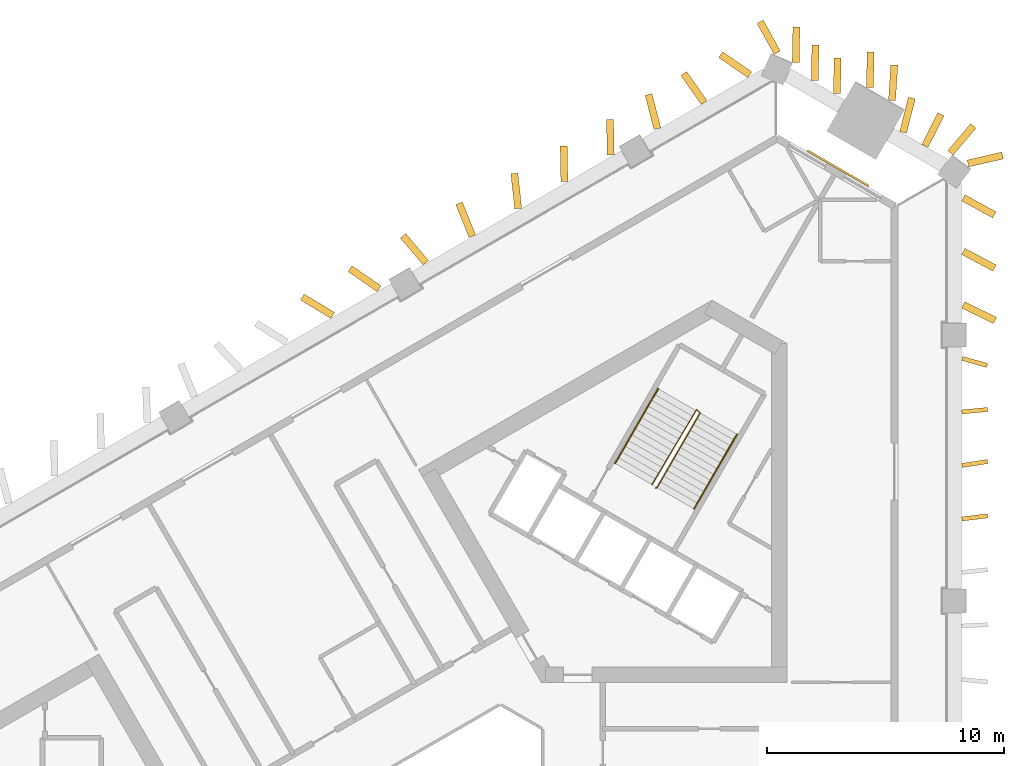
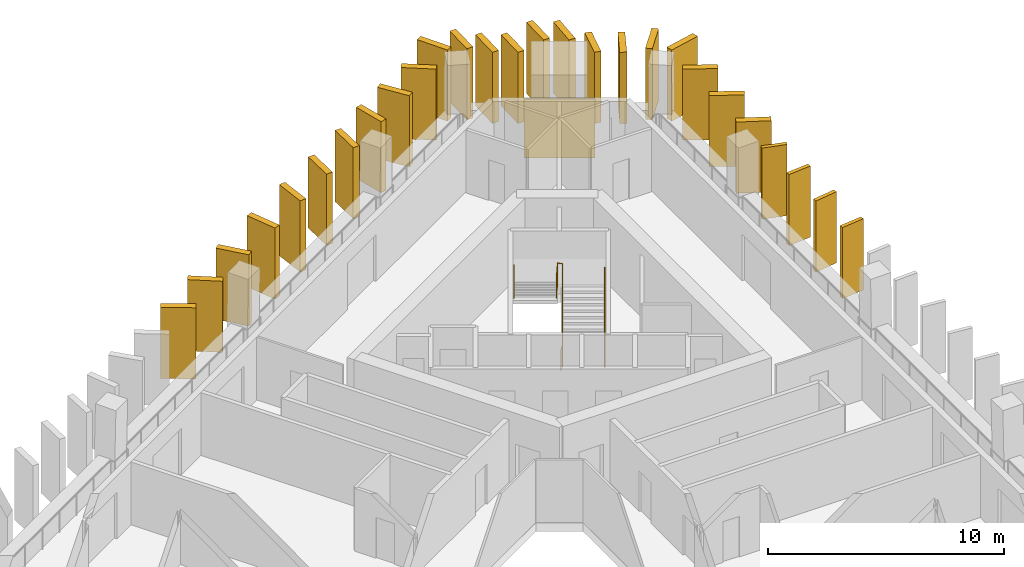
# One storey, part 11 of 11: 27 shading devices, 3 railings, 1 covering.
"""IFC4 building model written with IfcOpenShell, lengths in metres."""

import ifcopenshell
import ifcopenshell.guid

model = None  # the IFC model being written
_history = None  # IfcOwnerHistory: only IFC2X3 demands one
_inside = {}  # id of a spatial element -> (the spatial element, [elements in it])
_under = {}  # id of a project, library or spatial element -> (it, [spatial elements below it])
_declared = {}  # id of a project -> (the project, [libraries it declares])
_typed = {}  # id of a type object -> (the type object, [elements of that type])
_made_of = {}  # id of a material, layer set ... -> (it, [elements and type objects made of it])


def new_model(schema):
    """Start an empty IFC model of exactly this schema.

    Asked for "IFC4X3", IfcOpenShell would pick the latest addendum, in which some entities
    have other attributes; the version numbers below select the first issue.
    IFC2X3 requires an IfcOwnerHistory on every rooted entity: one is made here for all.
    """
    global model, _history
    if schema == "IFC4X3":
        model = ifcopenshell.file(schema_version=(4, 3, 0, 0))
    else:
        model = ifcopenshell.file(schema=schema)
    _inside.clear()
    _under.clear()
    _declared.clear()
    _typed.clear()
    _made_of.clear()
    _history = None
    if model.schema == "IFC2X3":
        org = make("IfcOrganization", Name="unknown")
        user = make(
            "IfcPersonAndOrganization",
            ThePerson=make("IfcPerson", FamilyName="unknown"),
            TheOrganization=org,
        )
        app = make(
            "IfcApplication",
            ApplicationDeveloper=org,
            Version="unknown",
            ApplicationFullName="unknown",
            ApplicationIdentifier="unknown",
        )
        _history = make(
            "IfcOwnerHistory",
            OwningUser=user,
            OwningApplication=app,
            ChangeAction="ADDED",
            CreationDate=0,
        )
    return model


def make(cls, **values):
    """One entity of the class cls with the attributes given. An attribute that is None is left unset."""
    return model.create_entity(
        cls, **{name: value for name, value in values.items() if value is not None}
    )


def rooted(cls, **values):
    """An entity with a GlobalId (a new one), such as an element, a storey or a relation."""
    return make(cls, GlobalId=ifcopenshell.guid.new(), OwnerHistory=_history, **values)


def si_unit(unit_type, name, prefix=None):
    """IfcSIUnit, for example si_unit("LENGTHUNIT", "METRE", prefix="MILLI")."""
    return make("IfcSIUnit", UnitType=unit_type, Prefix=prefix, Name=name)


def assignment(units):
    """IfcUnitAssignment: the units of a project."""
    return None if units is None else make("IfcUnitAssignment", Units=units)


def point(xyz):
    """IfcCartesianPoint."""
    return None if xyz is None else make("IfcCartesianPoint", Coordinates=xyz)


def direction(xyz):
    """IfcDirection."""
    return None if xyz is None else make("IfcDirection", DirectionRatios=xyz)


def frame(location, z_axis=None, x_axis=None):
    """IfcAxis2Placement3D, a coordinate frame: its origin and axes. An axis left out is left unset."""
    return make(
        "IfcAxis2Placement3D",
        Location=point(location),
        Axis=direction(z_axis),
        RefDirection=direction(x_axis),
    )


def frame_2d(location, x_axis=None):
    """IfcAxis2Placement2D, a coordinate frame in the plane: its origin and x axis."""
    return make(
        "IfcAxis2Placement2D", Location=point(location), RefDirection=direction(x_axis)
    )


def origin():
    """The frame at (0, 0, 0) with its axes left unset."""
    return frame((0.0, 0.0, 0.0))


def origin_2d():
    """The frame at (0, 0) in the plane with its x axis left unset."""
    return frame_2d((0.0, 0.0))


def place(relative_to, where):
    """IfcLocalPlacement: puts the frame where relative to a parent placement (None: the world)."""
    return make(
        "IfcLocalPlacement", PlacementRelTo=relative_to, RelativePlacement=where
    )


def context(
    kind, dimensions, precision=None, world=None, true_north=None, identifier=None
):
    """IfcGeometricRepresentationContext, for example the 3D "Model" context."""
    return make(
        "IfcGeometricRepresentationContext",
        ContextIdentifier=identifier,
        ContextType=kind,
        CoordinateSpaceDimension=dimensions,
        Precision=precision,
        WorldCoordinateSystem=world,
        TrueNorth=true_north,
    )


def subcontext(parent, identifier, kind, view, scale=None):
    """IfcGeometricRepresentationSubContext, for example "Body" below "Model"."""
    return make(
        "IfcGeometricRepresentationSubContext",
        ContextIdentifier=identifier,
        ContextType=kind,
        ParentContext=parent,
        TargetScale=scale,
        TargetView=view,
    )


def project(units=None, contexts=None):
    """IfcProject with its units and contexts."""
    return rooted(
        "IfcProject",
        Name="project",
        RepresentationContexts=contexts,
        UnitsInContext=assignment(units),
    )


def spatial(cls, under=None, at=None, **own):
    """A site, building, storey or space (cls), placed at a placement, below another one or the project."""
    s = rooted(cls, ObjectPlacement=at, **own)
    if under is not None:
        _under.setdefault(under.id(), (under, []))[1].append(s)
    return s


def profile(cls, at=None, kind="AREA", **sizes):
    """A parametric profile (cls). Its sizes go by their IFC names, for example OverallWidth=200.0."""
    return make(cls, ProfileType=kind, Position=at, **sizes)


def rectangle(**sizes):
    """IfcRectangleProfileDef."""
    return profile("IfcRectangleProfileDef", **sizes)


def circle(**sizes):
    """IfcCircleProfileDef."""
    return profile("IfcCircleProfileDef", **sizes)


def extrude(swept, where, along, depth):
    """IfcExtrudedAreaSolid: the profile swept, set in the frame where, extruded along a direction by depth."""
    return make(
        "IfcExtrudedAreaSolid",
        SweptArea=swept,
        Position=where,
        ExtrudedDirection=direction(along),
        Depth=depth,
    )


def shape(context_of_items, identifier, shape_type, items):
    """IfcShapeRepresentation: the items that make up one representation, for example the "Body"."""
    return make(
        "IfcShapeRepresentation",
        ContextOfItems=context_of_items,
        RepresentationIdentifier=identifier,
        RepresentationType=shape_type,
        Items=items,
    )


def material(Name=None, Category=None):
    """IfcMaterial."""
    return make("IfcMaterial", Name=Name, Category=Category)


def layer(
    of_material, thickness, ventilated=None, Name=None, Category=None, Priority=None
):
    """IfcMaterialLayer: one layer of a wall or slab, of a material (None: an air gap)."""
    return make(
        "IfcMaterialLayer",
        Material=of_material,
        LayerThickness=thickness,
        IsVentilated=ventilated,
        Name=Name,
        Category=Category,
        Priority=Priority,
    )


def layer_set(layers, Name=None):
    """IfcMaterialLayerSet."""
    return make("IfcMaterialLayerSet", MaterialLayers=layers, LayerSetName=Name)


def made_of(thing, what):
    """Note that an element or type object is made of a material, layer set ...; save() writes the relation."""
    if what is not None:
        _made_of.setdefault(what.id(), (what, []))[1].append(thing)
    return thing


def type_object(cls, material=None, **own):
    """A type object (cls), such as IfcWallType, which elements share."""
    return made_of(rooted(cls, **own), material)


def element(
    cls,
    number,
    at=None,
    inside=None,
    cuts=None,
    type_object=None,
    material=None,
    context=None,
    identifier="Body",
    shape_type=None,
    held_by="IfcProductDefinitionShape",
    body=None,
    shapes=None,
    **own,
):
    """One element of the class cls, such as IfcWall. Its Tag is "e" and its number.

    at: its placement. inside: the storey or other place that contains it. cuts: it is an
    opening in that element (IfcRelVoidsElement). A single representation is given by context,
    identifier, shape_type and body (its items); several are given by shapes. held_by: the class
    of the entity that holds the representations. save() writes the other relations.
    """
    e = rooted(cls, Tag="e%d" % number, ObjectPlacement=at, **own)
    if body is not None:
        shapes = [shape(context, identifier, shape_type, body)]
    if shapes is not None:
        e.Representation = make(held_by, Representations=shapes)
    if inside is not None:
        _inside.setdefault(inside.id(), (inside, []))[1].append(e)
    if cuts is not None:
        rooted(
            "IfcRelVoidsElement", RelatingBuildingElement=cuts, RelatedOpeningElement=e
        )
    if type_object is not None:
        _typed.setdefault(type_object.id(), (type_object, []))[1].append(e)
    return made_of(e, material)


def aggregate(whole, parts):
    """IfcRelAggregates: a whole, such as a stair, and the parts it consists of."""
    return rooted("IfcRelAggregates", RelatingObject=whole, RelatedObjects=parts)


def save(model, path):
    """Write the relations noted so far, then the file.

    IfcRelAggregates (storeys below a building ...), IfcRelContainedInSpatialStructure (elements
    in a storey), IfcRelDefinesByType, IfcRelAssociatesMaterial and IfcRelDeclares: one each for
    every whole, place, type object, material and project.
    """
    for whole, parts in _under.values():
        aggregate(whole, parts)
    for where, things in _inside.values():
        rooted(
            "IfcRelContainedInSpatialStructure",
            RelatedElements=things,
            RelatingStructure=where,
        )
    for kind, things in _typed.values():
        rooted("IfcRelDefinesByType", RelatedObjects=things, RelatingType=kind)
    for what, things in _made_of.values():
        rooted("IfcRelAssociatesMaterial", RelatedObjects=things, RelatingMaterial=what)
    for by, libraries in _declared.values():
        rooted("IfcRelDeclares", RelatingContext=by, RelatedDefinitions=libraries)
    model.write(path)


model = new_model("IFC4")

# Units and contexts
model_context = context("Model", 3, precision=1e-05, world=origin(), true_north=direction((0.0, 1.0)))
body_context = subcontext(model_context, "Body", "Model", "MODEL_VIEW")
ifc_project = project(units=[si_unit("LENGTHUNIT", "METRE"), si_unit("AREAUNIT", "SQUARE_METRE"), si_unit("VOLUMEUNIT", "CUBIC_METRE"), si_unit("PLANEANGLEUNIT", "RADIAN"), si_unit("MASSUNIT", "GRAM", prefix="KILO")], contexts=[model_context])

# Site, building, storey
site_placement = place(None, origin())
site = spatial("IfcSite", under=ifc_project, at=site_placement, CompositionType="ELEMENT")
building_placement = place(site_placement, origin())
building = spatial("IfcBuilding", under=site, at=building_placement, Name="Jabali Bay Hotel Tower and Convention Centre", CompositionType="ELEMENT")
storey_placement = place(building_placement, frame((0.0, 0.0, 132.699951171875)))
storey = spatial("IfcBuildingStorey", under=building, at=storey_placement, Name="L32", CompositionType="ELEMENT", Elevation=132.699951171875)

# Shading devices
ifc_material_1 = material(Name="Precast concrete C60", Category="concrete")
ifc_layer_1 = layer(ifc_material_1, 0.179931640625)
ifc_layer_set_1 = layer_set([ifc_layer_1], Name="Precast concrete C60")
shading_device_type_1 = type_object("IfcShadingDeviceType", Name="Precast fin 3680 x 1100", PredefinedType="USERDEFINED", material=ifc_layer_set_1)
for number, where, z_axis, x_axis, name in (
    (1, (97.279541015625, 94.7021484375, 0.010009765625), (0.0, 0.0, 1.0), (0.993004393239, 0.118077411087, 0.0), "Fin L32 019"),
    (2, (97.282470703125, 96.9638671875, 0.010009765625), (0.0, 0.0, 1.0), (0.9886826098, 0.150022321936, 0.0), "Fin L32 020"),
):
    element("IfcShadingDevice", number, at=place(storey_placement, frame(where, z_axis=z_axis, x_axis=x_axis)), inside=storey, type_object=shading_device_type_1, Name=name, ObjectType="FIN", PredefinedType="USERDEFINED", context=body_context, shape_type="SweptSolid", body=[
        extrude(rectangle(XDim=1.10009765625, YDim=0.179931640625, at=frame_2d((0.550048828125, 0.0))), origin(), (0.0, 0.0, 1.0), 3.679931640625),
    ])
for number, where, z_axis, x_axis, name in (
    (3, (97.277587890625, 99.225830078125, 0.010009765625), (0.0, 0.0, 1.0), (0.995540254019, 0.09433770523, 0.0), "Fin L32 021"),
    (4, (97.29345703125, 101.487548828125, 0.010009765625), (0.0, 0.0, 1.0), (0.962753928238, -0.270379129489, 0.0), "Fin L32 022"),
):
    element("IfcShadingDevice", number, at=place(storey_placement, frame(where, z_axis=z_axis, x_axis=x_axis)), inside=storey, type_object=shading_device_type_1, Name=name, ObjectType="FIN", PredefinedType="USERDEFINED", context=body_context, shape_type="SweptSolid", body=[
        extrude(rectangle(XDim=1.099853515625, YDim=0.179931640625, at=frame_2d((0.5498046875, 0.0))), origin(), (0.0, 0.0, 1.0), 3.679931640625),
    ])
ifc_layer_2 = layer(ifc_material_1, 0.300048828125)
ifc_layer_set_2 = layer_set([ifc_layer_2], Name="Precast concrete C60")
shading_device_type_2 = type_object("IfcShadingDeviceType", Name="Precast fin 3680 x 1500", PredefinedType="USERDEFINED", material=ifc_layer_set_2)
for number, where, z_axis, x_axis, name in (
    (5, (97.334716796875, 103.74951171875, 0.010009765625), (0.0, 0.0, 1.0), (0.899129499022, -0.43768269784, 0.0), "Fin L32 023"),
    (6, (97.339599609375, 106.011474609375, 0.010009765625), (0.0, 0.0, 1.0), (0.882470054039, -0.470368582842, 0.0), "Fin L32 024"),
    (7, (97.3408203125, 108.273193359375, 0.010009765625), (0.0, 0.0, 1.0), (0.877733805227, -0.479148585683, 0.0), "Fin L32 025"),
    (8, (96.79638671875, 110.174560546875, 0.010009765625), (0.0, 0.0, 1.0), (0.648106579551, 0.761549644831, 0.0), "Fin L32 026"),
):
    element("IfcShadingDevice", number, at=place(storey_placement, frame(where, z_axis=z_axis, x_axis=x_axis)), inside=storey, type_object=shading_device_type_2, Name=name, ObjectType="FIN", PredefinedType="USERDEFINED", context=body_context, shape_type="SweptSolid", body=[
        extrude(rectangle(XDim=1.5, YDim=0.300048828125, at=frame_2d((0.75, 0.0))), origin(), (0.0, 0.0, 1.0), 3.679931640625),
    ])
shading_device_1_placement = place(storey_placement, frame((95.7177734375, 110.471435546875, 0.010009765625), z_axis=(0.0, 0.0, 1.0), x_axis=(0.452089104957, 0.891972780515, 0.0)))
element("IfcShadingDevice", 9, at=shading_device_1_placement, inside=storey, type_object=shading_device_type_2, Name="Fin L32 027", ObjectType="FIN", PredefinedType="USERDEFINED", context=body_context, shape_type="SweptSolid", body=[
    extrude(rectangle(XDim=1.500244140625, YDim=0.300048828125, at=frame_2d((0.75, 0.0))), origin(), (0.0, 0.0, 1.0), 3.679931640625),
])
shading_device_2_placement = place(storey_placement, frame((94.796630859375, 111.041015625, 0.010009765625), z_axis=(0.0, 0.0, 1.0), x_axis=(0.246248493341, 0.96920672693, 0.0)))
element("IfcShadingDevice", 10, at=shading_device_2_placement, inside=storey, type_object=shading_device_type_2, Name="Fin L32 028", ObjectType="FIN", PredefinedType="USERDEFINED", context=body_context, shape_type="SweptSolid", body=[
    extrude(rectangle(XDim=1.5, YDim=0.300048828125, at=frame_2d((0.75, 0.0))), origin(), (0.0, 0.0, 1.0), 3.679931640625),
])
shading_device_3_placement = place(storey_placement, frame((94.328125, 112.394775390625, 0.010009765625), z_axis=(0.0, 0.0, 1.0), x_axis=(0.064120874575, 0.997942139327, 0.0)))
element("IfcShadingDevice", 11, at=shading_device_3_placement, inside=storey, type_object=shading_device_type_2, Name="Fin L32 029", ObjectType="FIN", PredefinedType="USERDEFINED", context=body_context, shape_type="SweptSolid", body=[
    extrude(rectangle(XDim=1.500244140625, YDim=0.300048828125, at=frame_2d((0.75, 0.0))), origin(), (0.0, 0.0, 1.0), 3.679931640625),
])
for number, where, z_axis, x_axis, name in (
    (12, (93.3935546875, 112.941162109375, 0.010009765625), (0.0, 0.0, 1.0), (0.020344152619, 0.99979303631, 0.0), "Fin L32 030"),
    (13, (91.999755859375, 112.692138671875, 0.010009765625), (0.0, 0.0, 1.0), (0.020344152619, 0.99979303631, 0.0), "Fin L32 031"),
    (14, (91.062255859375, 113.2333984375, 0.010009765625), (0.0, 0.0, 1.0), (0.020344152619, 0.99979303631, 0.0), "Fin L32 032"),
):
    element("IfcShadingDevice", number, at=place(storey_placement, frame(where, z_axis=z_axis, x_axis=x_axis)), inside=storey, type_object=shading_device_type_2, Name=name, ObjectType="FIN", PredefinedType="USERDEFINED", context=body_context, shape_type="SweptSolid", body=[
        extrude(rectangle(XDim=1.5, YDim=0.300048828125, at=frame_2d((0.75, 0.0))), origin(), (0.0, 0.0, 1.0), 3.679931640625),
    ])
shading_device_4_placement = place(storey_placement, frame((90.25732421875, 114.00439453125, 0.010009765625), z_axis=(0.0, 0.0, 1.0), x_axis=(0.020347463549, 0.999792968933, 0.0)))
element("IfcShadingDevice", 15, at=shading_device_4_placement, inside=storey, type_object=shading_device_type_2, Name="Fin L32 033", ObjectType="FIN", PredefinedType="USERDEFINED", context=body_context, shape_type="SweptSolid", body=[
    extrude(rectangle(XDim=1.499755859375, YDim=0.300048828125, at=frame_2d((0.75, 0.0))), origin(), (0.0, 0.0, 1.0), 3.679931640625),
])
shading_device_5_placement = place(storey_placement, frame((88.318603515625, 113.47802734375, 0.010009765625), z_axis=(0.0, 0.0, 1.0), x_axis=(-0.824284018132, 0.566176524992, 0.0)))
element("IfcShadingDevice", 16, at=shading_device_5_placement, inside=storey, type_object=shading_device_type_2, Name="Fin L32 034", ObjectType="FIN", PredefinedType="USERDEFINED", context=body_context, shape_type="SweptSolid", body=[
    extrude(rectangle(XDim=1.500244140625, YDim=0.300048828125, at=frame_2d((0.75, 0.0))), origin(), (0.0, 0.0, 1.0), 3.679931640625),
])
for number, where, z_axis, x_axis, name in (
    (17, (86.385498046875, 112.302734375, 0.010009765625), (0.0, 0.0, 1.0), (-0.57452140381, 0.818489558006, 0.0), "Fin L32 035"),
    (18, (84.413330078125, 111.19482421875, 0.010009765625), (0.0, 0.0, 1.0), (-0.251295396411, 0.967910442005, 0.0), "Fin L32 036"),
    (19, (82.438232421875, 110.092041015625, 0.010009765625), (0.0, 0.0, 1.0), (-0.020344152619, 0.99979303631, 0.0), "Fin L32 037"),
):
    element("IfcShadingDevice", number, at=place(storey_placement, frame(where, z_axis=z_axis, x_axis=x_axis)), inside=storey, type_object=shading_device_type_2, Name=name, ObjectType="FIN", PredefinedType="USERDEFINED", context=body_context, shape_type="SweptSolid", body=[
        extrude(rectangle(XDim=1.5, YDim=0.300048828125, at=frame_2d((0.75, 0.0))), origin(), (0.0, 0.0, 1.0), 3.679931640625),
    ])
shading_device_6_placement = place(storey_placement, frame((80.479248046875, 108.961181640625, 0.010009765625), z_axis=(0.0, 0.0, 1.0), x_axis=(-0.020184750428, 0.999796267172, 0.0)))
element("IfcShadingDevice", 20, at=shading_device_6_placement, inside=storey, type_object=shading_device_type_2, Name="Fin L32 038", ObjectType="FIN", PredefinedType="USERDEFINED", context=body_context, shape_type="SweptSolid", body=[
    extrude(rectangle(XDim=1.499755859375, YDim=0.300048828125, at=frame_2d((0.75, 0.0))), origin(), (0.0, 0.0, 1.0), 3.679931640625),
])
shading_device_7_placement = place(storey_placement, frame((78.5263671875, 107.81982421875, 0.010009765625), z_axis=(0.0, 0.0, 1.0), x_axis=(-0.108394871176, 0.994107917634, 0.0)))
element("IfcShadingDevice", 21, at=shading_device_7_placement, inside=storey, type_object=shading_device_type_2, Name="Fin L32 039", ObjectType="FIN", PredefinedType="USERDEFINED", context=body_context, shape_type="SweptSolid", body=[
    extrude(rectangle(XDim=1.5, YDim=0.300048828125, at=frame_2d((0.75, 0.0))), origin(), (0.0, 0.0, 1.0), 3.679931640625),
])
shading_device_8_placement = place(storey_placement, frame((76.58740234375, 106.65478515625, 0.010009765625), z_axis=(0.0, 0.0, 1.0), x_axis=(-0.374223504417, 0.927338540524, 0.0)))
element("IfcShadingDevice", 22, at=shading_device_8_placement, inside=storey, type_object=shading_device_type_2, Name="Fin L32 040", ObjectType="FIN", PredefinedType="USERDEFINED", context=body_context, shape_type="SweptSolid", body=[
    extrude(rectangle(XDim=1.499755859375, YDim=0.300048828125, at=frame_2d((0.75, 0.0))), origin(), (0.0, 0.0, 1.0), 3.679931640625),
])
shading_device_9_placement = place(storey_placement, frame((74.625732421875, 105.52880859375, 0.010009765625), z_axis=(0.0, 0.0, 1.0), x_axis=(-0.646168397308, 0.763194865234, 0.0)))
element("IfcShadingDevice", 23, at=shading_device_9_placement, inside=storey, type_object=shading_device_type_2, Name="Fin L32 041", ObjectType="FIN", PredefinedType="USERDEFINED", context=body_context, shape_type="SweptSolid", body=[
    extrude(rectangle(XDim=1.5, YDim=0.300048828125, at=frame_2d((0.75, 0.0))), origin(), (0.0, 0.0, 1.0), 3.679931640625),
])
for number, where, z_axis, x_axis, name in (
    (24, (72.648193359375, 104.43017578125, 0.010009765625), (0.0, 0.0, 1.0), (-0.822028109916, 0.569446912809, 0.0), "Fin L32 042"),
    (25, (70.685302734375, 103.306396484375, 0.010009765625), (0.0, 0.0, 1.0), (-0.855678355886, 0.517508020487, 0.0), "Fin L32 043"),
):
    element("IfcShadingDevice", number, at=place(storey_placement, frame(where, z_axis=z_axis, x_axis=x_axis)), inside=storey, type_object=shading_device_type_2, Name=name, ObjectType="FIN", PredefinedType="USERDEFINED", context=body_context, shape_type="SweptSolid", body=[
        extrude(rectangle(XDim=1.500244140625, YDim=0.300048828125, at=frame_2d((0.75, 0.0))), origin(), (0.0, 0.0, 1.0), 3.679931640625),
    ])
shading_device_10_placement = place(storey_placement, frame((97.538818359375, 109.728759765625, 0.010009765625), z_axis=(0.0, 0.0, 1.0), x_axis=(0.97448438269, 0.224455313801, 0.0)))
element("IfcShadingDevice", 26, at=shading_device_10_placement, inside=storey, type_object=shading_device_type_2, Name="Fin L32 103", ObjectType="FIN", PredefinedType="USERDEFINED", context=body_context, shape_type="SweptSolid", body=[
    extrude(rectangle(XDim=1.5, YDim=0.300048828125, at=frame_2d((0.75, 0.0))), origin(), (0.0, 0.0, 1.0), 3.679931640625),
])
shading_device_11_placement = place(storey_placement, frame((89.4765625, 114.40673828125, 0.010009765625), z_axis=(0.0, 0.0, 1.0), x_axis=(-0.482337237392, 0.875985610284, 0.0)))
element("IfcShadingDevice", 27, at=shading_device_11_placement, inside=storey, type_object=shading_device_type_2, Name="Fin L32 104", ObjectType="FIN", PredefinedType="USERDEFINED", context=body_context, shape_type="SweptSolid", body=[
    extrude(rectangle(XDim=1.500244140625, YDim=0.300048828125, at=frame_2d((0.75, 0.0))), origin(), (0.0, 0.0, 1.0), 3.679931640625),
])

# Covering
ifc_material_2 = material(Name="Precast concrete C40/50", Category="concrete")
ifc_layer_3 = layer(ifc_material_2, 0.080078125)
ifc_layer_set_3 = layer_set([ifc_layer_3], Name="Precast concrete C40/50")
covering_type = type_object("IfcCoveringType", Name="Relief panel 3000 x 3050", PredefinedType="CLADDING", material=ifc_layer_set_3)
covering_placement = place(storey_placement, frame((92.046630859375, 109.525390625, 0.10009765625), z_axis=(0.0, 0.0, 1.0), x_axis=(0.866025454984, -0.49999991132, 0.0)))
element("IfcCovering", 28, at=covering_placement, inside=storey, type_object=covering_type, Name="Relief panel L32", PredefinedType="CLADDING", context=body_context, shape_type="SweptSolid", body=[
    extrude(rectangle(XDim=3.0, YDim=0.080078125, at=origin_2d()), origin(), (0.0, 0.0, 1.0), 3.050048828125),
])

# Railings
ifc_material_3 = material(Name="Steel Q355B", Category="steel")
railing_type_1 = type_object("IfcRailingType", Name="Stair guard 1100", PredefinedType="GUARDRAIL", material=ifc_material_3)
railing_1_placement = place(storey_placement, frame((84.329833984375, 96.010009765625, 0.0)))
element("IfcRailing", 29, at=railing_1_placement, inside=storey, type_object=railing_type_1, Name="L32 ST2 stair guard 1", PredefinedType="GUARDRAIL", context=body_context, shape_type="SweptSolid", body=[
    extrude(circle(Radius=0.02392578125, at=origin_2d()), frame((0.0, 0.0, 1.076171875), z_axis=(0.456201556387, 0.122196845461, 0.881446578591), x_axis=(-0.258736085224, 0.965948051503, 0.0)), (0.0, 0.0, 1.0), 0.14990234375),
    extrude(circle(Radius=0.02392578125, at=origin_2d()), frame((0.068359375, 0.018310546875, 1.2080078125), z_axis=(0.45217862506, 0.783169739339, 0.426825081763), x_axis=(-0.866018046521, 0.500012742938, 0.0)), (0.0, 0.0, 1.0), 4.025146484375),
    extrude(circle(Radius=0.02392578125, at=origin_2d()), frame((1.888427734375, 3.170654296875, 2.92626953125), z_axis=(-0.718850276695, 0.695164929852, 0.0), x_axis=(-0.695164929852, -0.718850276695, 0.0)), (0.0, 0.0, 1.0), 0.2060546875),
    extrude(circle(Radius=0.02392578125, at=origin_2d()), frame((1.740234375, 3.31396484375, 2.92626953125), z_axis=(-0.457457462341, -0.768067235091, 0.448113147015), x_axis=(0.859157857954, -0.511710636118, 0.0)), (0.0, 0.0, 1.0), 4.128173828125),
    extrude(circle(Radius=0.02099609375, at=origin_2d()), origin(), (0.0, 0.0, 1.0), 1.052001953125),
    extrude(circle(Radius=0.02099609375, at=origin_2d()), frame((0.068359375, 0.018310546875, 0.132080078125)), (0.0, 0.0, 1.0), 1.052001953125),
    extrude(circle(Radius=0.02099609375, at=origin_2d()), frame((0.5234375, 0.806396484375, 0.5615234375)), (0.0, 0.0, 1.0), 1.052001953125),
    extrude(circle(Radius=0.02099609375, at=origin_2d()), frame((0.978515625, 1.594482421875, 0.9912109375)), (0.0, 0.0, 1.0), 1.052001953125),
    extrude(circle(Radius=0.02099609375, at=origin_2d()), frame((1.433349609375, 2.382568359375, 1.420654296875)), (0.0, 0.0, 1.0), 1.052001953125),
    extrude(circle(Radius=0.02099609375, at=origin_2d()), frame((1.888427734375, 3.170654296875, 1.85009765625)), (0.0, 0.0, 1.0), 1.052001953125),
    extrude(circle(Radius=0.02099609375, at=origin_2d()), frame((1.740234375, 3.31396484375, 1.85009765625)), (0.0, 0.0, 1.0), 1.052001953125),
    extrude(circle(Radius=0.02099609375, at=origin_2d()), frame((1.26806640625, 2.521240234375, 2.3125)), (0.0, 0.0, 1.0), 1.052001953125),
    extrude(circle(Radius=0.02099609375, at=origin_2d()), frame((0.7958984375, 1.728515625, 2.77490234375)), (0.0, 0.0, 1.0), 1.052001953125),
    extrude(circle(Radius=0.02099609375, at=origin_2d()), frame((0.323974609375, 0.93603515625, 3.237548828125)), (0.0, 0.0, 1.0), 1.052001953125),
    extrude(circle(Radius=0.02099609375, at=origin_2d()), frame((-0.148193359375, 0.143310546875, 3.699951171875)), (0.0, 0.0, 1.0), 1.052001953125),
])
railing_type_2 = type_object("IfcRailingType", Name="Stair handrail 900", PredefinedType="HANDRAIL", material=ifc_material_3)
railing_2_placement = place(storey_placement, frame((85.95703125, 95.128173828125, 0.132080078125)))
element("IfcRailing", 30, at=railing_2_placement, inside=storey, type_object=railing_type_2, Name="L32 ST2 stair handrail 1", PredefinedType="HANDRAIL", context=body_context, shape_type="SweptSolid", body=[
    extrude(circle(Radius=0.02392578125, at=origin_2d()), frame((0.0, 0.0, 0.8759765625), z_axis=(0.45217862506, 0.783169739339, 0.426825081763), x_axis=(-0.866018046521, 0.500012742938, 0.0)), (0.0, 0.0, 1.0), 4.025146484375),
    extrude(circle(Radius=0.02099609375, at=origin_2d()), origin(), (0.0, 0.0, 1.0), 0.851806640625),
    extrude(circle(Radius=0.02099609375, at=origin_2d()), frame((0.455078125, 0.7880859375, 0.429443359375)), (0.0, 0.0, 1.0), 0.851806640625),
    extrude(circle(Radius=0.02099609375, at=origin_2d()), frame((0.91015625, 1.576171875, 0.85888671875)), (0.0, 0.0, 1.0), 0.851806640625),
    extrude(circle(Radius=0.02099609375, at=origin_2d()), frame((1.364990234375, 2.3642578125, 1.28857421875)), (0.0, 0.0, 1.0), 0.851806640625),
    extrude(circle(Radius=0.02099609375, at=origin_2d()), frame((1.820068359375, 3.15234375, 1.718017578125)), (0.0, 0.0, 1.0), 0.851806640625),
])
railing_3_placement = place(storey_placement, frame((84.44287109375, 100.20556640625, 1.982177734375)))
element("IfcRailing", 31, at=railing_3_placement, inside=storey, type_object=railing_type_2, Name="L32 ST2 stair handrail 2", PredefinedType="HANDRAIL", context=body_context, shape_type="SweptSolid", body=[
    extrude(circle(Radius=0.02392578125, at=origin_2d()), frame((0.0, 0.0, 0.8759765625), z_axis=(-0.452190331055, -0.783190014029, 0.426775475427), x_axis=(0.866018046521, -0.500012742938, 0.0)), (0.0, 0.0, 1.0), 4.02490234375),
    extrude(circle(Radius=0.02099609375, at=origin_2d()), origin(), (0.0, 0.0, 1.0), 0.851806640625),
    extrude(circle(Radius=0.02099609375, at=origin_2d()), frame((-0.455078125, -0.7880859375, 0.429443359375)), (0.0, 0.0, 1.0), 0.851806640625),
    extrude(circle(Radius=0.02099609375, at=origin_2d()), frame((-0.91015625, -1.576171875, 0.85888671875)), (0.0, 0.0, 1.0), 0.851806640625),
    extrude(circle(Radius=0.02099609375, at=origin_2d()), frame((-1.364990234375, -2.3642578125, 1.288330078125)), (0.0, 0.0, 1.0), 0.851806640625),
    extrude(circle(Radius=0.02099609375, at=origin_2d()), frame((-1.820068359375, -3.15234375, 1.7177734375)), (0.0, 0.0, 1.0), 0.851806640625),
])

save(model, "model.ifc")
